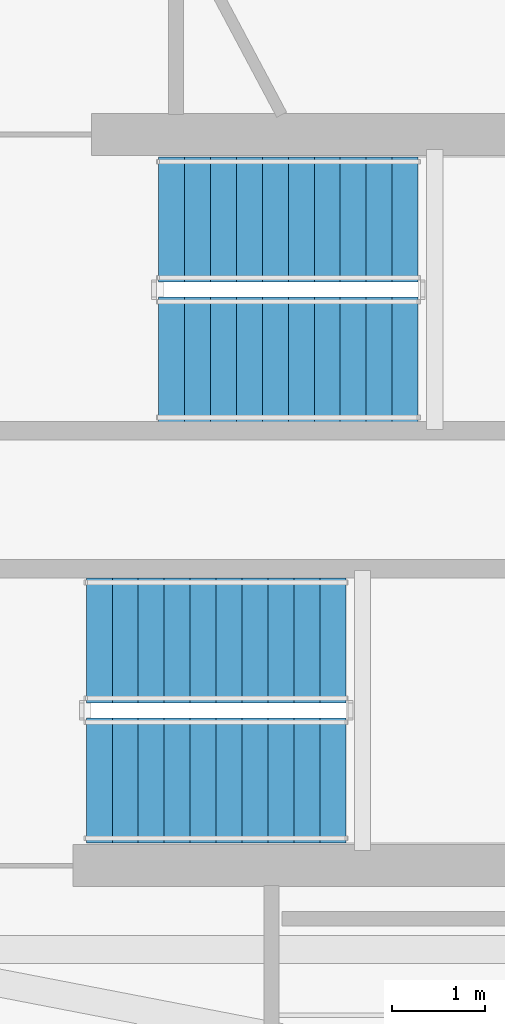
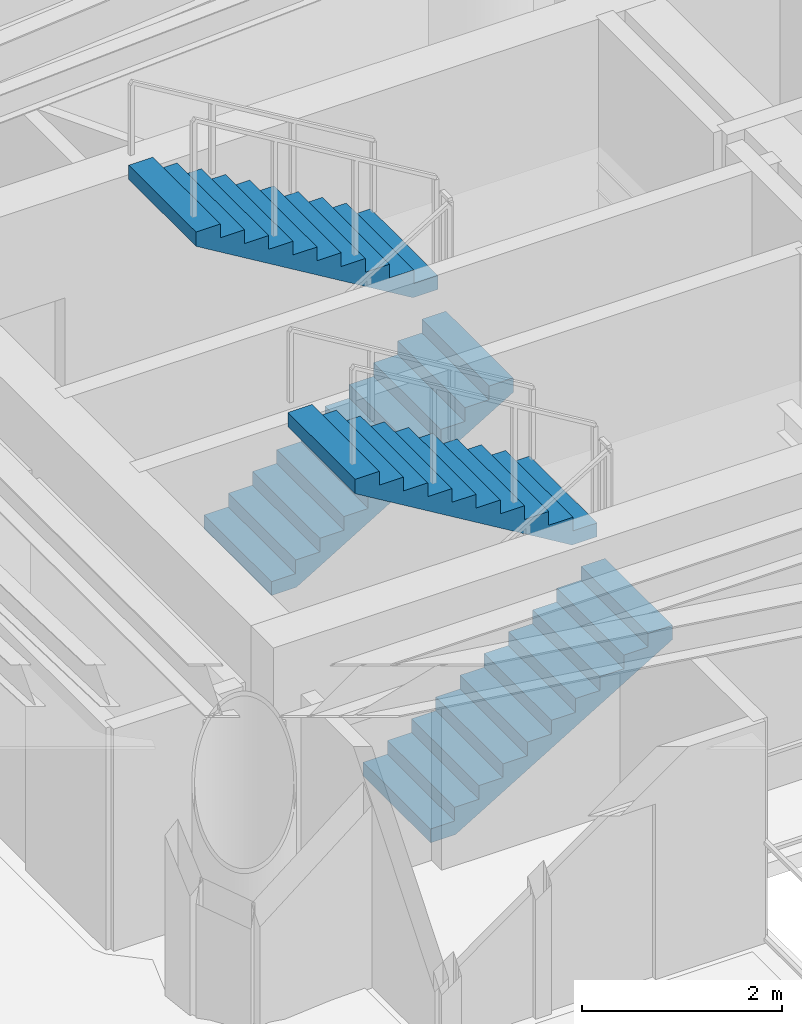
# One storey, part 19 of 21: 4 stair flights, 2 elements without a shape of their own.
"""IFC4 building model written with IfcOpenShell, lengths in metres."""

from ifc_helpers import new_model, si_unit, direction, frame, origin, place, context, subcontext, project, spatial, polyline, outline, extrude, material, type_object, element, aggregate, save


model = new_model("IFC4")

# Units and contexts
model_context = context("Model", 3, precision=1e-05, world=origin(), true_north=direction((0.0, 1.0)))
body_context = subcontext(model_context, "Body", "Model", "MODEL_VIEW")
ifc_project = project(units=[si_unit("LENGTHUNIT", "METRE"), si_unit("AREAUNIT", "SQUARE_METRE"), si_unit("VOLUMEUNIT", "CUBIC_METRE"), si_unit("PLANEANGLEUNIT", "RADIAN"), si_unit("MASSUNIT", "GRAM", prefix="KILO")], contexts=[model_context])

# Site, building, storey
site_placement = place(None, origin())
site = spatial("IfcSite", under=ifc_project, at=site_placement, CompositionType="ELEMENT")
building_placement = place(site_placement, origin())
building = spatial("IfcBuilding", under=site, at=building_placement, Name="Qianvela Tower", CompositionType="ELEMENT")
storey_placement = place(building_placement, frame((0.0, 0.0, 272.300048828125)))
storey = spatial("IfcBuildingStorey", under=building, at=storey_placement, Name="L70", CompositionType="ELEMENT", Elevation=272.300048828125)

# Stair, stair flights
ifc_material_1 = material(Name="Concrete C40", Category="concrete")
stair_type = type_object("IfcStairType", Name="ST-DOGLEG-1350-R168-N22", PredefinedType="HALF_TURN_STAIR", material=ifc_material_1)
stair_1_placement = place(storey_placement, origin())
stair_1 = element("IfcStair", 1, at=stair_1_placement, inside=storey, type_object=stair_type, Name="L70 Smoke-Proof Core Stair ST-1", PredefinedType="HALF_TURN_STAIR")
ifc_material_2 = material(Name="Concrete C40", Category="concrete")
stair_flight_type = type_object("IfcStairFlightType", Name="STF-STRAIGHT-R168-P11", PredefinedType="STRAIGHT", material=ifc_material_2)
stair_flight_1_placement = place(storey_placement, frame((32.199951171875, 30.215087890625, 0.0), z_axis=(0.0, 0.0, 1.0), x_axis=(1.0, 0.0, 0.0)))
stair_flight_1 = element("IfcStairFlight", 2, at=stair_flight_1_placement, type_object=stair_flight_type, Name="ST-1 flight 1", NumberOfRisers=11, NumberOfTreads=10, PredefinedType="STRAIGHT", RiserHeight=0.168181818, TreadLength=0.28, context=body_context, shape_type="SweptSolid", body=[
    extrude(outline(polyline([(0.0, 0.0), (0.0, 0.168212890625), (0.280029296875, 0.168212890625), (0.280029296875, 0.33642578125), (0.56005859375, 0.33642578125), (0.56005859375, 0.504638671875), (0.840087890625, 0.504638671875), (0.840087890625, 0.672607421875), (1.1201171875, 0.672607421875), (1.1201171875, 0.8408203125), (1.39990234375, 0.8408203125), (1.39990234375, 1.009033203125), (1.679931640625, 1.009033203125), (1.679931640625, 1.17724609375), (1.9599609375, 1.17724609375), (1.9599609375, 1.345458984375), (2.239990234375, 1.345458984375), (2.239990234375, 1.513671875), (2.52001953125, 1.513671875), (2.52001953125, 1.681884765625), (2.800048828125, 1.681884765625), (2.800048828125, 1.85009765625), (2.800048828125, 1.5068359375), (0.291015625, 0.0), (0.0, 0.0)])), frame((0.0, 0.675048828125, 0.0), z_axis=(0.0, -1.0, 0.0), x_axis=(1.0, 0.0, 0.0)), (0.0, 0.0, 1.0), 1.35009765625),
])
stair_flight_2_placement = place(storey_placement, frame((35.0, 31.72509765625, 1.849853515625), z_axis=(0.0, 0.0, 1.0), x_axis=(-1.0, 0.0, 0.0)))
stair_flight_2 = element("IfcStairFlight", 3, at=stair_flight_2_placement, type_object=stair_flight_type, Name="ST-1 flight 2", NumberOfRisers=11, NumberOfTreads=10, PredefinedType="STRAIGHT", RiserHeight=0.168181818, TreadLength=0.28, context=body_context, shape_type="SweptSolid", body=[
    extrude(outline(polyline([(0.0, 0.0), (0.0, 0.168212890625), (0.280029296875, 0.168212890625), (0.280029296875, 0.33642578125), (0.56005859375, 0.33642578125), (0.56005859375, 0.504638671875), (0.840087890625, 0.504638671875), (0.840087890625, 0.672607421875), (1.1201171875, 0.672607421875), (1.1201171875, 0.8408203125), (1.39990234375, 0.8408203125), (1.39990234375, 1.009033203125), (1.679931640625, 1.009033203125), (1.679931640625, 1.17724609375), (1.9599609375, 1.17724609375), (1.9599609375, 1.345458984375), (2.239990234375, 1.345458984375), (2.239990234375, 1.513671875), (2.52001953125, 1.513671875), (2.52001953125, 1.681884765625), (2.800048828125, 1.681884765625), (2.800048828125, 1.85009765625), (2.800048828125, 1.5068359375), (0.291015625, 0.0), (0.0, 0.0)])), frame((0.0, 0.675048828125, 0.0), z_axis=(0.0, -1.0, 0.0), x_axis=(1.0, 0.0, 0.0)), (0.0, 0.0, 1.0), 1.35009765625),
])
aggregate(stair_1, [stair_flight_1, stair_flight_2])

stair_2_placement = place(storey_placement, origin())
stair_2 = element("IfcStair", 4, at=stair_2_placement, inside=storey, type_object=stair_type, Name="L70 Smoke-Proof Core Stair ST-2", PredefinedType="HALF_TURN_STAIR")
stair_flight_3_placement = place(storey_placement, frame((31.419921875, 25.675048828125, 0.0), z_axis=(0.0, 0.0, 1.0), x_axis=(1.0, 0.0, 0.0)))
stair_flight_3 = element("IfcStairFlight", 5, at=stair_flight_3_placement, type_object=stair_flight_type, Name="ST-2 flight 1", NumberOfRisers=11, NumberOfTreads=10, PredefinedType="STRAIGHT", RiserHeight=0.168181818, TreadLength=0.28, context=body_context, shape_type="SweptSolid", body=[
    extrude(outline(polyline([(0.0, 0.0), (0.0, 0.168212890625), (0.280029296875, 0.168212890625), (0.280029296875, 0.33642578125), (0.56005859375, 0.33642578125), (0.56005859375, 0.504638671875), (0.840087890625, 0.504638671875), (0.840087890625, 0.672607421875), (1.1201171875, 0.672607421875), (1.1201171875, 0.8408203125), (1.39990234375, 0.8408203125), (1.39990234375, 1.009033203125), (1.679931640625, 1.009033203125), (1.679931640625, 1.17724609375), (1.9599609375, 1.17724609375), (1.9599609375, 1.345458984375), (2.239990234375, 1.345458984375), (2.239990234375, 1.513671875), (2.52001953125, 1.513671875), (2.52001953125, 1.681884765625), (2.800048828125, 1.681884765625), (2.800048828125, 1.85009765625), (2.800048828125, 1.5068359375), (0.291015625, 0.0), (0.0, 0.0)])), frame((0.0, 0.675048828125, 0.0), z_axis=(0.0, -1.0, 0.0), x_axis=(1.0, 0.0, 0.0)), (0.0, 0.0, 1.0), 1.35009765625),
])
stair_flight_4_placement = place(storey_placement, frame((34.219970703125, 27.18505859375, 1.849853515625), z_axis=(0.0, 0.0, 1.0), x_axis=(-1.0, 0.0, 0.0)))
stair_flight_4 = element("IfcStairFlight", 6, at=stair_flight_4_placement, type_object=stair_flight_type, Name="ST-2 flight 2", NumberOfRisers=11, NumberOfTreads=10, PredefinedType="STRAIGHT", RiserHeight=0.168181818, TreadLength=0.28, context=body_context, shape_type="SweptSolid", body=[
    extrude(outline(polyline([(0.0, 0.0), (0.0, 0.168212890625), (0.280029296875, 0.168212890625), (0.280029296875, 0.33642578125), (0.56005859375, 0.33642578125), (0.56005859375, 0.504638671875), (0.840087890625, 0.504638671875), (0.840087890625, 0.672607421875), (1.1201171875, 0.672607421875), (1.1201171875, 0.8408203125), (1.39990234375, 0.8408203125), (1.39990234375, 1.009033203125), (1.679931640625, 1.009033203125), (1.679931640625, 1.17724609375), (1.9599609375, 1.17724609375), (1.9599609375, 1.345458984375), (2.239990234375, 1.345458984375), (2.239990234375, 1.513671875), (2.52001953125, 1.513671875), (2.52001953125, 1.681884765625), (2.800048828125, 1.681884765625), (2.800048828125, 1.85009765625), (2.800048828125, 1.5068359375), (0.291015625, 0.0), (0.0, 0.0)])), frame((0.0, 0.675048828125, 0.0), z_axis=(0.0, -1.0, 0.0), x_axis=(1.0, 0.0, 0.0)), (0.0, 0.0, 1.0), 1.35009765625),
])
aggregate(stair_2, [stair_flight_3, stair_flight_4])

save(model, "model.ifc")
